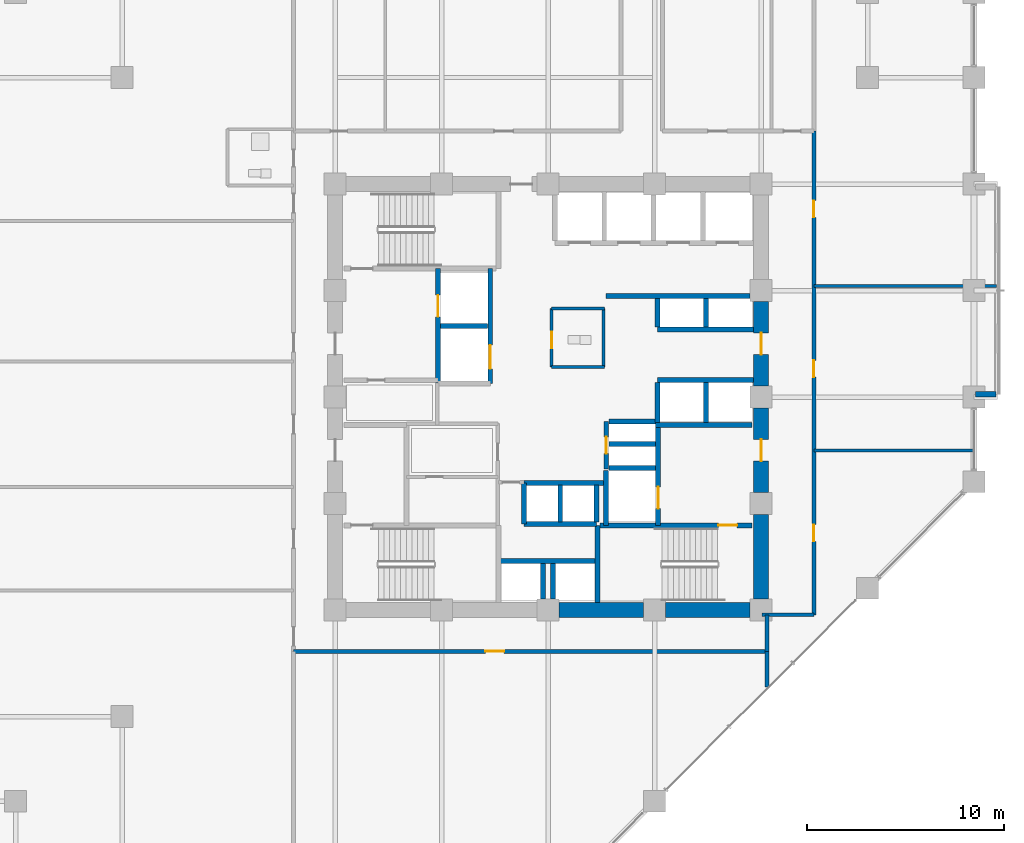
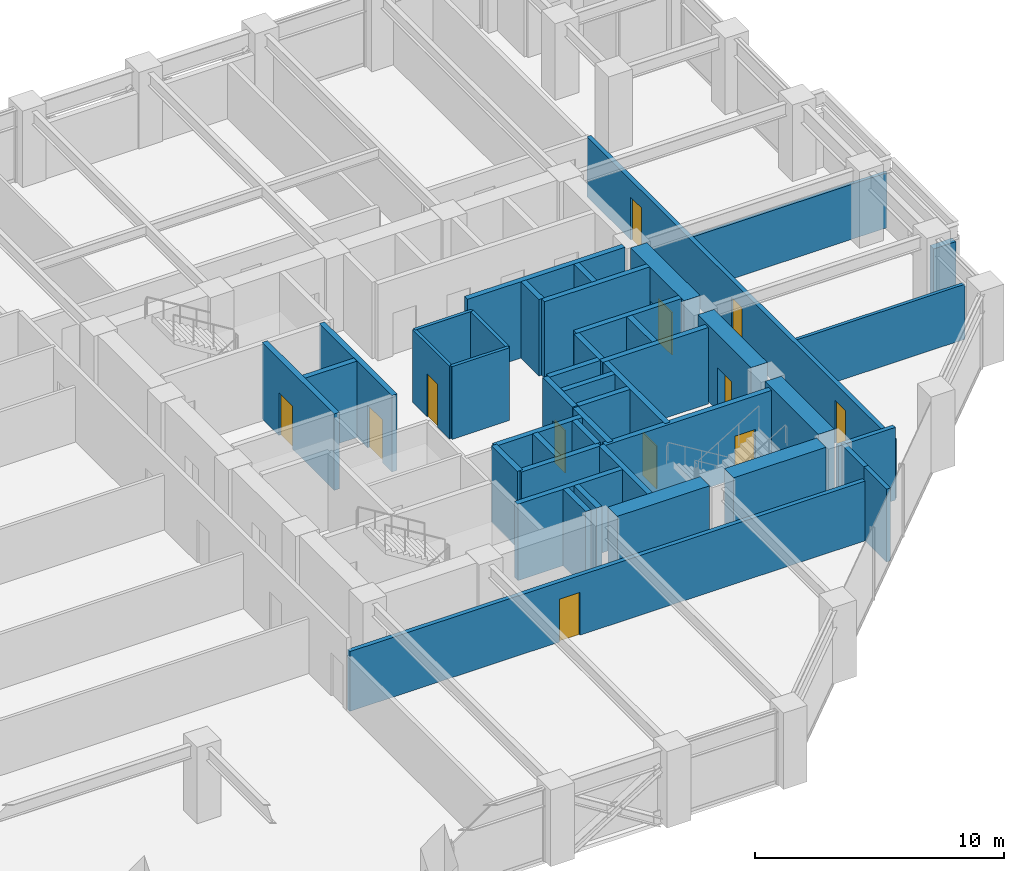
# One storey, part 20 of 25: 44 walls, 12 doors, 12 openings.
"""IFC4 building model written with IfcOpenShell, lengths in metres."""

from ifc_helpers import new_model, si_unit, direction, frame, frame_2d, origin, place, context, subcontext, project, spatial, rectangle, extrude, material, layer, layer_set, type_object, element, fill, save


model = new_model("IFC4")

# Units and contexts
model_context = context("Model", 3, precision=1e-05, world=origin(), true_north=direction((0.0, 1.0)))
body_context = subcontext(model_context, "Body", "Model", "MODEL_VIEW")
ifc_project = project(units=[si_unit("LENGTHUNIT", "METRE"), si_unit("AREAUNIT", "SQUARE_METRE"), si_unit("VOLUMEUNIT", "CUBIC_METRE"), si_unit("PLANEANGLEUNIT", "RADIAN"), si_unit("MASSUNIT", "GRAM", prefix="KILO")], contexts=[model_context])

# Site, building, storey
site_placement = place(None, origin())
site = spatial("IfcSite", under=ifc_project, at=site_placement, CompositionType="ELEMENT")
building_placement = place(site_placement, origin())
building = spatial("IfcBuilding", under=site, at=building_placement, Name="Surkhivell Harbour Commons", CompositionType="ELEMENT")
storey_placement = place(building_placement, frame((0.0, 0.0, 98.25)))
storey = spatial("IfcBuildingStorey", under=building, at=storey_placement, Name="L25", CompositionType="ELEMENT", Elevation=98.25)

# Wall
ifc_material_1 = material(Name="Concrete C60/75", Category="concrete")
ifc_layer_1 = layer(ifc_material_1, 0.75)
ifc_layer_set_1 = layer_set([ifc_layer_1], Name="Concrete C60/75")
wall_type_1 = type_object("IfcWallType", Name="WAL-CORE-750", PredefinedType="SHEAR", material=ifc_layer_set_1)
wall_1_placement = place(storey_placement, frame((10.800048828125, -10.239990234375, 0.0), z_axis=(0.0, 0.0, 1.0), x_axis=(0.0, 1.0, 0.0)))
element("IfcWall", 1, at=wall_1_placement, inside=storey, type_object=wall_type_1, Name="L25 Core Shear Wall East 1", PredefinedType="SHEAR", context=body_context, shape_type="SweptSolid", body=[
    extrude(rectangle(XDim=4.280029296875, YDim=0.75, at=frame_2d((2.14013671875, 0.0))), origin(), (0.0, 0.0, 1.0), 3.75),
])

# Wall, opening, door
wall_2_placement = place(storey_placement, frame((10.800048828125, -4.840087890625, 0.0), z_axis=(0.0, 0.0, 1.0), x_axis=(0.0, 1.0, 0.0)))
wall_2 = element("IfcWall", 2, at=wall_2_placement, inside=storey, type_object=wall_type_1, Name="L25 Core Shear Wall East 2", PredefinedType="SHEAR", context=body_context, shape_type="SweptSolid", body=[
    extrude(rectangle(XDim=4.280029296875, YDim=0.75, at=frame_2d((2.14013671875, 0.0))), origin(), (0.0, 0.0, 1.0), 3.75),
])
opening_1_placement = place(wall_2_placement, frame((1.590087890625, 0.0, 0.0)))
opening_1 = element("IfcOpeningElement", 3, at=opening_1_placement, cuts=wall_2, Name="Opening ID-1", PredefinedType="OPENING", context=body_context, shape_type="SweptSolid", body=[
    extrude(rectangle(XDim=1.10009765625, YDim=2.10009765625, at=frame_2d((0.550048828125, 1.050048828125))), frame((0.0, 0.385009765625, 0.0), z_axis=(0.0, -1.0, 0.0), x_axis=(1.0, 0.0, 0.0)), (0.0, 0.0, 1.0), 0.77001953125),
])
ifc_material_2 = material(Name="Hardwood-veneered fire-rated door leaf", Category="wood")
door_type_1 = type_object("IfcDoorType", Name="DOR-FD120-1100", OperationType="NOTDEFINED", PredefinedType="DOOR", material=ifc_material_2)
door_1_placement = place(opening_1_placement, origin())
door_1 = element("IfcDoor", 4, at=door_1_placement, inside=storey, type_object=door_type_1, Name="L25 Firefighting Lobby 2 Corridor Door", OperationType="SINGLE_SWING_RIGHT", OverallHeight=2.10009765625, OverallWidth=1.10009765625, PredefinedType="DOOR", context=body_context, shape_type="SweptSolid", body=[
    extrude(rectangle(XDim=1.10009765625, YDim=2.10009765625, at=frame_2d((0.550048828125, 1.050048828125))), frame((0.0, 0.02490234375, 0.0), z_axis=(0.0, -1.0, 0.0), x_axis=(1.0, 0.0, 0.0)), (0.0, 0.0, 1.0), 0.050048828125),
])
fill(opening_1, door_1)

# Wall
wall_3_placement = place(storey_placement, frame((0.56005859375, -10.800048828125, 0.0), z_axis=(0.0, 0.0, 1.0), x_axis=(1.0, 0.0, 0.0)))
element("IfcWall", 5, at=wall_3_placement, inside=storey, type_object=wall_type_1, Name="L25 Core Shear Wall South 3", PredefinedType="SHEAR", context=body_context, shape_type="SweptSolid", body=[
    extrude(rectangle(XDim=4.280029296875, YDim=0.75, at=frame_2d((2.14013671875, 0.0))), origin(), (0.0, 0.0, 1.0), 3.75),
])

# Wall, opening, door
wall_4_placement = place(storey_placement, frame((10.800048828125, 0.56005859375, 0.0), z_axis=(0.0, 0.0, 1.0), x_axis=(0.0, 1.0, 0.0)))
wall_4 = element("IfcWall", 6, at=wall_4_placement, inside=storey, type_object=wall_type_1, Name="L25 Core Shear Wall East 3", PredefinedType="SHEAR", context=body_context, shape_type="SweptSolid", body=[
    extrude(rectangle(XDim=4.280029296875, YDim=0.75, at=frame_2d((2.14013671875, 0.0))), origin(), (0.0, 0.0, 1.0), 3.75),
])
opening_2_placement = place(wall_4_placement, frame((1.590087890625, 0.0, 0.0)))
opening_2 = element("IfcOpeningElement", 7, at=opening_2_placement, cuts=wall_4, Name="Opening ID-2", PredefinedType="OPENING", context=body_context, shape_type="SweptSolid", body=[
    extrude(rectangle(XDim=1.10009765625, YDim=2.10009765625, at=frame_2d((0.550048828125, 1.050048828125))), frame((0.0, 0.385009765625, 0.0), z_axis=(0.0, -1.0, 0.0), x_axis=(1.0, 0.0, 0.0)), (0.0, 0.0, 1.0), 0.77001953125),
])
door_type_2 = type_object("IfcDoorType", Name="DOR-FD60-1100", OperationType="NOTDEFINED", PredefinedType="DOOR", material=ifc_material_2)
door_2_placement = place(opening_2_placement, origin())
door_2 = element("IfcDoor", 8, at=door_2_placement, inside=storey, type_object=door_type_2, Name="L25 Mid-Rise Lobby East Door", OperationType="SINGLE_SWING_LEFT", OverallHeight=2.10009765625, OverallWidth=1.10009765625, PredefinedType="DOOR", context=body_context, shape_type="SweptSolid", body=[
    extrude(rectangle(XDim=1.10009765625, YDim=2.10009765625, at=frame_2d((0.550048828125, 1.050048828125))), frame((0.0, 0.02490234375, 0.0), z_axis=(0.0, -1.0, 0.0), x_axis=(1.0, 0.0, 0.0)), (0.0, 0.0, 1.0), 0.050048828125),
])
fill(opening_2, door_2)

# Walls
wall_5_placement = place(storey_placement, frame((5.9599609375, -10.800048828125, 0.0), z_axis=(0.0, 0.0, 1.0), x_axis=(1.0, 0.0, 0.0)))
element("IfcWall", 9, at=wall_5_placement, inside=storey, type_object=wall_type_1, Name="L25 Core Shear Wall South 4", PredefinedType="SHEAR", context=body_context, shape_type="SweptSolid", body=[
    extrude(rectangle(XDim=4.280029296875, YDim=0.75, at=frame_2d((2.14013671875, 0.0))), origin(), (0.0, 0.0, 1.0), 3.75),
])
ifc_material_3 = material(Name="Flemish-bond kiln brick and precast concrete C45/55", Category="masonry")
ifc_layer_2 = layer(ifc_material_3, 0.300048828125)
ifc_layer_set_2 = layer_set([ifc_layer_2], Name="Flemish-bond kiln brick and precast concrete C45/55")
wall_type_2 = type_object("IfcWallType", Name="WAL-EXT-BRK300", PredefinedType="STANDARD", material=ifc_layer_set_2)
wall_6_placement = place(storey_placement, frame((21.679931640625, 0.139892578125, 0.0), z_axis=(0.0, 0.0, 1.0), x_axis=(1.0, 0.0, 0.0)))
element("IfcWall", 10, at=wall_6_placement, inside=storey, type_object=wall_type_2, Name="L25 Coloured Box Return Wall 01S", PredefinedType="STANDARD", context=body_context, shape_type="SweptSolid", body=[
    extrude(rectangle(XDim=1.0400390625, YDim=0.300048828125, at=frame_2d((0.52001953125, 0.0))), origin(), (0.0, 0.0, 1.0), 2.698974609375),
])
ifc_material_4 = material(Name="Twin-stud acoustic fireboard partition", Category="other")
ifc_layer_3 = layer(ifc_material_4, 0.14990234375)
ifc_layer_set_3 = layer_set([ifc_layer_3], Name="Twin-stud acoustic fireboard partition")
wall_type_3 = type_object("IfcWallType", Name="WAL-INT-150", PredefinedType="PARTITIONING", material=ifc_layer_set_3)
wall_7_placement = place(storey_placement, frame((2.820068359375, 1.52001953125, 0.0), z_axis=(0.0, 0.0, 1.0), x_axis=(0.0, 1.0, 0.0)))
element("IfcWall", 11, at=wall_7_placement, inside=storey, type_object=wall_type_3, Name="L25 Core Accessible WC East Wall", PredefinedType="PARTITIONING", context=body_context, shape_type="SweptSolid", body=[
    extrude(rectangle(XDim=2.9599609375, YDim=0.14990234375, at=frame_2d((1.47998046875, 0.0))), origin(), (0.0, 0.0, 1.0), 3.570068359375),
])
for number, where, z_axis, x_axis, name in (
    (12, (0.179931640625, 4.47998046875, 0.0), (0.0, 0.0, 1.0), (1.0, 0.0, 0.0), "L25 Core Accessible WC North Wall"),
    (13, (0.179931640625, 1.52001953125, 0.0), (0.0, 0.0, 1.0), (1.0, 0.0, 0.0), "L25 Core Accessible WC South Wall"),
):
    element("IfcWall", number, at=place(storey_placement, frame(where, z_axis=z_axis, x_axis=x_axis)), inside=storey, type_object=wall_type_3, Name=name, PredefinedType="PARTITIONING", context=body_context, shape_type="SweptSolid", body=[
        extrude(rectangle(XDim=2.670166015625, YDim=0.14990234375, at=frame_2d((1.3349609375, 0.0))), origin(), (0.0, 0.0, 1.0), 3.570068359375),
    ])

# Wall, opening, door
wall_8_placement = place(storey_placement, frame((0.179931640625, 1.52001953125, 0.0), z_axis=(0.0, 0.0, 1.0), x_axis=(0.0, 1.0, 0.0)))
wall_8 = element("IfcWall", 14, at=wall_8_placement, inside=storey, type_object=wall_type_3, Name="L25 Core Accessible WC West Wall", PredefinedType="PARTITIONING", context=body_context, shape_type="SweptSolid", body=[
    extrude(rectangle(XDim=2.9599609375, YDim=0.14990234375, at=frame_2d((1.47998046875, 0.0))), origin(), (0.0, 0.0, 1.0), 3.570068359375),
])
opening_3_placement = place(wall_8_placement, frame((0.949951171875, 0.0, 0.0)))
opening_3 = element("IfcOpeningElement", 15, at=opening_3_placement, cuts=wall_8, Name="Opening ID-6", PredefinedType="OPENING", context=body_context, shape_type="SweptSolid", body=[
    extrude(rectangle(XDim=0.85009765625, YDim=2.10009765625, at=frame_2d((0.425048828125, 1.050048828125))), frame((0.0, 0.0849609375, 0.0), z_axis=(0.0, -1.0, 0.0), x_axis=(1.0, 0.0, 0.0)), (0.0, 0.0, 1.0), 0.169921875),
])
door_type_3 = type_object("IfcDoorType", Name="DOR-FD30-850", OperationType="NOTDEFINED", PredefinedType="DOOR", material=ifc_material_2)
door_3_placement = place(opening_3_placement, origin())
door_3 = element("IfcDoor", 16, at=door_3_placement, inside=storey, type_object=door_type_3, Name="L25 Floor Accessible WC Door", OperationType="SINGLE_SWING_RIGHT", OverallHeight=2.10009765625, OverallWidth=0.85009765625, PredefinedType="DOOR", context=body_context, shape_type="SweptSolid", body=[
    extrude(rectangle(XDim=0.85009765625, YDim=2.10009765625, at=frame_2d((0.425048828125, 1.050048828125))), frame((0.0, 0.02490234375, 0.0), z_axis=(0.0, -1.0, 0.0), x_axis=(1.0, 0.0, 0.0)), (0.0, 0.0, 1.0), 0.050048828125),
])
fill(opening_3, door_3)

# Walls
wall_9_placement = place(storey_placement, frame((13.47998046875, -2.699951171875, 0.0), z_axis=(0.0, 0.0, 1.0), x_axis=(1.0, 0.0, 0.0)))
element("IfcWall", 17, at=wall_9_placement, inside=storey, type_object=wall_type_3, Name="L25 East Partition P1", PredefinedType="PARTITIONING", context=body_context, shape_type="SweptSolid", body=[
    extrude(rectangle(XDim=8.06005859375, YDim=0.14990234375, at=frame_2d((4.030029296875, 0.0))), origin(), (0.0, 0.0, 1.0), 2.698974609375),
])
wall_10_placement = place(storey_placement, frame((13.47998046875, 5.6298828125, 0.0), z_axis=(0.0, 0.0, 1.0), x_axis=(1.0, 0.0, 0.0)))
element("IfcWall", 18, at=wall_10_placement, inside=storey, type_object=wall_type_3, Name="L25 East Partition P2", PredefinedType="PARTITIONING", context=body_context, shape_type="SweptSolid", body=[
    extrude(rectangle(XDim=9.260009765625, YDim=0.14990234375, at=frame_2d((4.6298828125, 0.0))), origin(), (0.0, 0.0, 1.0), 2.698974609375),
])
ifc_material_5 = material(Name="Autoclaved aerated concrete blockwork and fire plaster", Category="masonry")
ifc_layer_4 = layer(ifc_material_5, 0.199951171875)
ifc_layer_set_4 = layer_set([ifc_layer_4], Name="Autoclaved aerated concrete blockwork and fire plaster")
wall_type_4 = type_object("IfcWallType", Name="WAL-INT-200", PredefinedType="PARTITIONING", material=ifc_layer_set_4)
wall_11_placement = place(storey_placement, frame((11.10009765625, -14.715087890625, 0.0), z_axis=(0.0, 0.0, 1.0), x_axis=(0.0, 1.0, 0.0)))
element("IfcWall", 19, at=wall_11_placement, inside=storey, type_object=wall_type_4, Name="L25 South-East Wing Corner Divider", PredefinedType="PARTITIONING", context=body_context, shape_type="SweptSolid", body=[
    extrude(rectangle(XDim=1.815185546875, YDim=0.199951171875, at=frame_2d((0.90771484375, 0.0))), origin(), (0.0, 0.0, 1.0), 3.570068359375),
])

# Wall, openings, doors
wall_12_placement = place(storey_placement, frame((13.47998046875, -11.0400390625, 0.0), z_axis=(0.0, 0.0, 1.0), x_axis=(0.0, 1.0, 0.0)))
wall_12 = element("IfcWall", 20, at=wall_12_placement, inside=storey, type_object=wall_type_4, Name="L25 Corridor East Wall", PredefinedType="PARTITIONING", context=body_context, shape_type="SweptSolid", body=[
    extrude(rectangle(XDim=24.52001953125, YDim=0.199951171875, at=frame_2d((12.260009765625, 0.0))), origin(), (0.0, 0.0, 1.0), 2.93310546875),
])
opening_4_placement = place(wall_12_placement, frame((3.719970703125, 0.0, 0.0)))
opening_4 = element("IfcOpeningElement", 21, at=opening_4_placement, cuts=wall_12, Name="Opening ID-6", PredefinedType="OPENING", context=body_context, shape_type="SweptSolid", body=[
    extrude(rectangle(XDim=0.85009765625, YDim=2.10009765625, at=frame_2d((0.425048828125, 1.050048828125))), frame((0.0, 0.10986328125, 0.0), z_axis=(0.0, -1.0, 0.0), x_axis=(1.0, 0.0, 0.0)), (0.0, 0.0, 1.0), 0.219970703125),
])
opening_5_placement = place(wall_12_placement, frame((12.054931640625, 0.0, 0.0)))
opening_5 = element("IfcOpeningElement", 22, at=opening_5_placement, cuts=wall_12, Name="Opening ID-6", PredefinedType="OPENING", context=body_context, shape_type="SweptSolid", body=[
    extrude(rectangle(XDim=0.85009765625, YDim=2.10009765625, at=frame_2d((0.425048828125, 1.050048828125))), frame((0.0, 0.10986328125, 0.0), z_axis=(0.0, -1.0, 0.0), x_axis=(1.0, 0.0, 0.0)), (0.0, 0.0, 1.0), 0.219970703125),
])
opening_6_placement = place(wall_12_placement, frame((20.14501953125, 0.0, 0.0)))
opening_6 = element("IfcOpeningElement", 23, at=opening_6_placement, cuts=wall_12, Name="Opening ID-6", PredefinedType="OPENING", context=body_context, shape_type="SweptSolid", body=[
    extrude(rectangle(XDim=0.85009765625, YDim=2.10009765625, at=frame_2d((0.425048828125, 1.050048828125))), frame((0.0, 0.10986328125, 0.0), z_axis=(0.0, -1.0, 0.0), x_axis=(1.0, 0.0, 0.0)), (0.0, 0.0, 1.0), 0.219970703125),
])
door_4_placement = place(opening_4_placement, origin())
door_4 = element("IfcDoor", 24, at=door_4_placement, inside=storey, type_object=door_type_3, Name="L25 Academic Seminar Room 1 East Door", OperationType="SINGLE_SWING_RIGHT", OverallHeight=2.10009765625, OverallWidth=0.85009765625, PredefinedType="DOOR", context=body_context, shape_type="SweptSolid", body=[
    extrude(rectangle(XDim=0.85009765625, YDim=2.10009765625, at=frame_2d((0.425048828125, 1.050048828125))), frame((0.0, 0.02490234375, 0.0), z_axis=(0.0, -1.0, 0.0), x_axis=(1.0, 0.0, 0.0)), (0.0, 0.0, 1.0), 0.050048828125),
])
fill(opening_4, door_4)
door_5_placement = place(opening_5_placement, origin())
door_5 = element("IfcDoor", 25, at=door_5_placement, inside=storey, type_object=door_type_3, Name="L25 Academic Seminar Room 2 East Door", OperationType="SINGLE_SWING_LEFT", OverallHeight=2.10009765625, OverallWidth=0.85009765625, PredefinedType="DOOR", context=body_context, shape_type="SweptSolid", body=[
    extrude(rectangle(XDim=0.85009765625, YDim=2.10009765625, at=frame_2d((0.425048828125, 1.050048828125))), frame((0.0, 0.02490234375, 0.0), z_axis=(0.0, -1.0, 0.0), x_axis=(1.0, 0.0, 0.0)), (0.0, 0.0, 1.0), 0.050048828125),
])
fill(opening_5, door_5)
door_6_placement = place(opening_6_placement, origin())
door_6 = element("IfcDoor", 26, at=door_6_placement, inside=storey, type_object=door_type_3, Name="L25 Academic Seminar Room 3 East Door", OperationType="SINGLE_SWING_RIGHT", OverallHeight=2.10009765625, OverallWidth=0.85009765625, PredefinedType="DOOR", context=body_context, shape_type="SweptSolid", body=[
    extrude(rectangle(XDim=0.85009765625, YDim=2.10009765625, at=frame_2d((0.425048828125, 1.050048828125))), frame((0.0, 0.02490234375, 0.0), z_axis=(0.0, -1.0, 0.0), x_axis=(1.0, 0.0, 0.0)), (0.0, 0.0, 1.0), 0.050048828125),
])
fill(opening_6, door_6)

# Wall
wall_13_placement = place(storey_placement, frame((10.85009765625, -11.0400390625, 0.0), z_axis=(0.0, 0.0, 1.0), x_axis=(1.0, 0.0, 0.0)))
element("IfcWall", 27, at=wall_13_placement, inside=storey, type_object=wall_type_4, Name="L25 Corridor East South Closure Wall", PredefinedType="PARTITIONING", context=body_context, shape_type="SweptSolid", body=[
    extrude(rectangle(XDim=2.6298828125, YDim=0.199951171875, at=frame_2d((1.31494140625, 0.0))), origin(), (0.0, 0.0, 1.0), 3.570068359375),
])

# Wall, opening, door
wall_14_placement = place(storey_placement, frame((-12.89990234375, -12.89990234375, 0.0), z_axis=(0.0, 0.0, 1.0), x_axis=(1.0, 0.0, 0.0)))
wall_14 = element("IfcWall", 28, at=wall_14_placement, inside=storey, type_object=wall_type_4, Name="L25 Corridor South Wall", PredefinedType="PARTITIONING", context=body_context, shape_type="SweptSolid", body=[
    extrude(rectangle(XDim=24.0, YDim=0.199951171875, at=frame_2d((12.0, 0.0))), origin(), (0.0, 0.0, 1.0), 2.93310546875),
])
opening_7_placement = place(wall_14_placement, frame((9.7177734375, 0.0, 0.0)))
opening_7 = element("IfcOpeningElement", 29, at=opening_7_placement, cuts=wall_14, Name="Opening ID-4", PredefinedType="OPENING", context=body_context, shape_type="SweptSolid", body=[
    extrude(rectangle(XDim=0.949951171875, YDim=2.10009765625, at=frame_2d((0.47509765625, 1.050048828125))), frame((0.0, 0.10986328125, 0.0), z_axis=(0.0, -1.0, 0.0), x_axis=(1.0, 0.0, 0.0)), (0.0, 0.0, 1.0), 0.219970703125),
])
door_type_4 = type_object("IfcDoorType", Name="DOR-FD60-950", OperationType="NOTDEFINED", PredefinedType="DOOR", material=ifc_material_2)
door_7_placement = place(opening_7_placement, origin())
door_7 = element("IfcDoor", 30, at=door_7_placement, inside=storey, type_object=door_type_4, Name="L25 Open Academic Study Commons Reading Library South Door", OperationType="SINGLE_SWING_LEFT", OverallHeight=2.10009765625, OverallWidth=0.949951171875, PredefinedType="DOOR", context=body_context, shape_type="SweptSolid", body=[
    extrude(rectangle(XDim=0.949951171875, YDim=2.10009765625, at=frame_2d((0.47509765625, 1.050048828125))), frame((0.0, 0.02490234375, 0.0), z_axis=(0.0, -1.0, 0.0), x_axis=(1.0, 0.0, 0.0)), (0.0, 0.0, 1.0), 0.050048828125),
])
fill(opening_7, door_7)

# Wall
wall_15_placement = place(storey_placement, frame((11.10009765625, -12.89990234375, 0.0), z_axis=(0.0, 0.0, 1.0), x_axis=(0.0, 1.0, 0.0)))
element("IfcWall", 31, at=wall_15_placement, inside=storey, type_object=wall_type_4, Name="L25 Corridor SE Closure Wall", PredefinedType="PARTITIONING", context=body_context, shape_type="SweptSolid", body=[
    extrude(rectangle(XDim=1.85986328125, YDim=0.199951171875, at=frame_2d((0.929931640625, 0.0))), origin(), (0.0, 0.0, 1.0), 3.570068359375),
])

# Wall, opening, door
ifc_material_6 = material(Name="Concrete C50/60", Category="concrete")
ifc_layer_5 = layer(ifc_material_6, 0.25)
ifc_layer_set_5 = layer_set([ifc_layer_5], Name="Concrete C50/60")
wall_type_5 = type_object("IfcWallType", Name="WAL-SHAFT-250", PredefinedType="SHEAR", material=ifc_layer_set_5)
wall_16_placement = place(storey_placement, frame((-5.580078125, 0.719970703125, 0.0), z_axis=(0.0, 0.0, 1.0), x_axis=(0.0, 1.0, 0.0)))
wall_16 = element("IfcWall", 32, at=wall_16_placement, inside=storey, type_object=wall_type_5, Name="L25 Firefighting Lobby 1 East Shaft Wall", PredefinedType="SHEAR", context=body_context, shape_type="SweptSolid", body=[
    extrude(rectangle(XDim=5.7900390625, YDim=0.25, at=frame_2d((2.89501953125, 0.0))), origin(), (0.0, 0.0, 1.0), 3.75),
])
opening_8_placement = place(wall_16_placement, frame((3.35009765625, 0.0, 0.0)))
opening_8 = element("IfcOpeningElement", 33, at=opening_8_placement, cuts=wall_16, Name="Opening LD-1", PredefinedType="OPENING", context=body_context, shape_type="SweptSolid", body=[
    extrude(rectangle(XDim=1.10009765625, YDim=2.10009765625, at=frame_2d((0.550048828125, 1.050048828125))), frame((0.0, 0.135009765625, 0.0), z_axis=(0.0, -1.0, 0.0), x_axis=(1.0, 0.0, 0.0)), (0.0, 0.0, 1.0), 0.27001953125),
])
ifc_material_7 = material(Name="Brushed stainless steel S355", Category="steel")
door_type_5 = type_object("IfcDoorType", Name="DOR-LD-1100", OperationType="SLIDING_TO_LEFT", PredefinedType="DOOR", material=ifc_material_7)
door_8_placement = place(opening_8_placement, origin())
door_8 = element("IfcDoor", 34, at=door_8_placement, inside=storey, type_object=door_type_5, Name="L25 Lift Landing Door LD-FFL1", OperationType="SLIDING_TO_LEFT", OverallHeight=2.10009765625, OverallWidth=1.10009765625, PredefinedType="DOOR", context=body_context, shape_type="SweptSolid", body=[
    extrude(rectangle(XDim=1.10009765625, YDim=2.10009765625, at=frame_2d((0.550048828125, 1.050048828125))), frame((0.0, 0.02490234375, 0.0), z_axis=(0.0, -1.0, 0.0), x_axis=(1.0, 0.0, 0.0)), (0.0, 0.0, 1.0), 0.050048828125),
])
fill(opening_8, door_8)

# Walls
wall_17_placement = place(storey_placement, frame((2.929931640625, -6.510009765625, 0.0), z_axis=(0.0, 0.0, 1.0), x_axis=(0.0, 1.0, 0.0)))
element("IfcWall", 35, at=wall_17_placement, inside=storey, type_object=wall_type_5, Name="L25 FFL2 West Shaft Wall", PredefinedType="SHEAR", context=body_context, shape_type="SweptSolid", body=[
    extrude(rectangle(XDim=2.7900390625, YDim=0.25, at=frame_2d((1.39501953125, 0.0))), origin(), (0.0, 0.0, 1.0), 3.75),
])
wall_18_placement = place(storey_placement, frame((5.43994140625, -1.419921875, 0.0), z_axis=(0.0, 0.0, 1.0), x_axis=(1.0, 0.0, 0.0)))
element("IfcWall", 36, at=wall_18_placement, inside=storey, type_object=wall_type_5, Name="L25 Firefighting Lobby 2 North Wall", PredefinedType="SHEAR", context=body_context, shape_type="SweptSolid", body=[
    extrude(rectangle(XDim=4.900146484375, YDim=0.25, at=frame_2d((2.4501953125, 0.0))), origin(), (0.0, 0.0, 1.0), 3.75),
])
wall_19_placement = place(storey_placement, frame((3.080078125, -3.60009765625, 0.0), z_axis=(0.0, 0.0, 1.0), x_axis=(1.0, 0.0, 0.0)))
element("IfcWall", 37, at=wall_19_placement, inside=storey, type_object=wall_type_5, Name="L25 FFL2 North Shaft Wall", PredefinedType="SHEAR", context=body_context, shape_type="SweptSolid", body=[
    extrude(rectangle(XDim=2.369873046875, YDim=0.25, at=frame_2d((1.18505859375, 0.0))), origin(), (0.0, 0.0, 1.0), 3.75),
])

# Wall, opening, door
wall_20_placement = place(storey_placement, frame((5.580078125, -6.510009765625, 0.0), z_axis=(0.0, 0.0, 1.0), x_axis=(0.0, 1.0, 0.0)))
wall_20 = element("IfcWall", 38, at=wall_20_placement, inside=storey, type_object=wall_type_5, Name="L25 Firefighting Lobby 2 West Shaft Wall", PredefinedType="SHEAR", context=body_context, shape_type="SweptSolid", body=[
    extrude(rectangle(XDim=5.090087890625, YDim=0.25, at=frame_2d((2.544921875, 0.0))), origin(), (0.0, 0.0, 1.0), 3.75),
])
opening_9_placement = place(wall_20_placement, frame((0.85009765625, 0.0, 0.0)))
opening_9 = element("IfcOpeningElement", 39, at=opening_9_placement, cuts=wall_20, Name="Opening LD-1", PredefinedType="OPENING", context=body_context, shape_type="SweptSolid", body=[
    extrude(rectangle(XDim=1.10009765625, YDim=2.10009765625, at=frame_2d((0.550048828125, 1.050048828125))), frame((0.0, 0.135009765625, 0.0), z_axis=(0.0, -1.0, 0.0), x_axis=(1.0, 0.0, 0.0)), (0.0, 0.0, 1.0), 0.27001953125),
])
door_9_placement = place(opening_9_placement, origin())
door_9 = element("IfcDoor", 40, at=door_9_placement, inside=storey, type_object=door_type_5, Name="L25 Lift Landing Door LD-FFL2", OperationType="SLIDING_TO_RIGHT", OverallHeight=2.10009765625, OverallWidth=1.10009765625, PredefinedType="DOOR", context=body_context, shape_type="SweptSolid", body=[
    extrude(rectangle(XDim=1.10009765625, YDim=2.10009765625, at=frame_2d((0.550048828125, 1.050048828125))), frame((0.0, 0.02490234375, 0.0), z_axis=(0.0, -1.0, 0.0), x_axis=(1.0, 0.0, 0.0)), (0.0, 0.0, 1.0), 0.050048828125),
])
fill(opening_9, door_9)

# Walls
for number, where, z_axis, x_axis, name in (
    (41, (0.6201171875, -6.340087890625, 0.0), (0.0, 0.0, 1.0), (0.0, 1.0, 0.0), "L25 High-Rise Side Wall N"),
    (42, (2.449951171875, -6.340087890625, 0.0), (0.0, 0.0, 1.0), (0.0, 1.0, 0.0), "L25 High-Rise Side Wall N"),
):
    element("IfcWall", number, at=place(storey_placement, frame(where, z_axis=z_axis, x_axis=x_axis)), inside=storey, type_object=wall_type_5, Name=name, PredefinedType="SHEAR", context=body_context, shape_type="SweptSolid", body=[
        extrude(rectangle(XDim=1.880126953125, YDim=0.25, at=frame_2d((0.93994140625, 0.0))), origin(), (0.0, 0.0, 1.0), 3.75),
    ])
for number, where, z_axis, x_axis, name in (
    (43, (-0.25, -10.25, 0.0), (0.0, 0.0, 1.0), (0.0, 1.0, 0.0), "L25 High-Rise Side Wall S"),
    (44, (0.25, -10.25, 0.0), (0.0, 0.0, 1.0), (0.0, 1.0, 0.0), "L25 High-Rise Side Wall S"),
):
    element("IfcWall", number, at=place(storey_placement, frame(where, z_axis=z_axis, x_axis=x_axis)), inside=storey, type_object=wall_type_5, Name=name, PredefinedType="SHEAR", context=body_context, shape_type="SweptSolid", body=[
        extrude(rectangle(XDim=1.81005859375, YDim=0.25, at=frame_2d((0.905029296875, 0.0))), origin(), (0.0, 0.0, 1.0), 3.75),
    ])
wall_21_placement = place(storey_placement, frame((-1.219970703125, -6.43994140625, 0.0), z_axis=(0.0, 0.0, 1.0), x_axis=(0.0, 1.0, 0.0)))
element("IfcWall", 45, at=wall_21_placement, inside=storey, type_object=wall_type_5, Name="L25 High-Rise Passage East Shaft Wall", PredefinedType="SHEAR", context=body_context, shape_type="SweptSolid", body=[
    extrude(rectangle(XDim=2.079833984375, YDim=0.25, at=frame_2d((1.0400390625, 0.0))), origin(), (0.0, 0.0, 1.0), 3.75),
])
wall_22_placement = place(storey_placement, frame((-1.219970703125, -6.43994140625, 0.0), z_axis=(0.0, 0.0, 1.0), x_axis=(1.0, 0.0, 0.0)))
element("IfcWall", 46, at=wall_22_placement, inside=storey, type_object=wall_type_5, Name="L25 High-Rise North Front Shaft Wall", PredefinedType="SHEAR", context=body_context, shape_type="SweptSolid", body=[
    extrude(rectangle(XDim=3.669921875, YDim=0.25, at=frame_2d((1.8349609375, 0.0))), origin(), (0.0, 0.0, 1.0), 3.75),
])
wall_23_placement = place(storey_placement, frame((-2.47998046875, -8.320068359375, 0.0), z_axis=(0.0, 0.0, 1.0), x_axis=(1.0, 0.0, 0.0)))
element("IfcWall", 47, at=wall_23_placement, inside=storey, type_object=wall_type_5, Name="L25 High-Rise South Front Shaft Wall", PredefinedType="SHEAR", context=body_context, shape_type="SweptSolid", body=[
    extrude(rectangle(XDim=4.929931640625, YDim=0.25, at=frame_2d((2.46484375, 0.0))), origin(), (0.0, 0.0, 1.0), 3.75),
])
wall_24_placement = place(storey_placement, frame((-1.219970703125, -4.360107421875, 0.0), z_axis=(0.0, 0.0, 1.0), x_axis=(1.0, 0.0, 0.0)))
element("IfcWall", 48, at=wall_24_placement, inside=storey, type_object=wall_type_5, Name="L25 High-Rise North Back Shaft Wall", PredefinedType="SHEAR", context=body_context, shape_type="SweptSolid", body=[
    extrude(rectangle(XDim=4.030029296875, YDim=0.25, at=frame_2d((2.01513671875, 0.0))), origin(), (0.0, 0.0, 1.0), 3.75),
])
wall_25_placement = place(storey_placement, frame((2.949951171875, 5.1201171875, 0.0), z_axis=(0.0, 0.0, 1.0), x_axis=(1.0, 0.0, 0.0)))
element("IfcWall", 49, at=wall_25_placement, inside=storey, type_object=wall_type_5, Name="L25 Low-Rise Lobby South Wall", PredefinedType="SHEAR", context=body_context, shape_type="SweptSolid", body=[
    extrude(rectangle(XDim=7.300048828125, YDim=0.25, at=frame_2d((3.64990234375, 0.0))), origin(), (0.0, 0.0, 1.0), 3.75),
])
for number, where, z_axis, x_axis, name in (
    (50, (5.550048828125, 3.550048828125, 0.0), (0.0, 0.0, 1.0), (0.0, 1.0, 0.0), "L25 Mid-Rise Shaft Side Wall N"),
    (51, (8.0, 3.550048828125, 0.0), (0.0, 0.0, 1.0), (0.0, 1.0, 0.0), "L25 Mid-Rise Shaft Side Wall N"),
):
    element("IfcWall", number, at=place(storey_placement, frame(where, z_axis=z_axis, x_axis=x_axis)), inside=storey, type_object=wall_type_5, Name=name, PredefinedType="SHEAR", context=body_context, shape_type="SweptSolid", body=[
        extrude(rectangle(XDim=1.449951171875, YDim=0.25, at=frame_2d((0.72509765625, 0.0))), origin(), (0.0, 0.0, 1.0), 3.75),
    ])
for number, where, z_axis, x_axis, name in (
    (52, (5.550048828125, -1.300048828125, 0.0), (0.0, 0.0, 1.0), (0.0, 1.0, 0.0), "L25 Mid-Rise Shaft Side Wall S"),
    (53, (8.0, -1.300048828125, 0.0), (0.0, 0.0, 1.0), (0.0, 1.0, 0.0), "L25 Mid-Rise Shaft Side Wall S"),
):
    element("IfcWall", number, at=place(storey_placement, frame(where, z_axis=z_axis, x_axis=x_axis)), inside=storey, type_object=wall_type_5, Name=name, PredefinedType="SHEAR", context=body_context, shape_type="SweptSolid", body=[
        extrude(rectangle(XDim=2.0400390625, YDim=0.25, at=frame_2d((1.02001953125, 0.0))), origin(), (0.0, 0.0, 1.0), 3.75),
    ])
for number, where, z_axis, x_axis, name in (
    (54, (5.550048828125, 3.429931640625, 0.0), (0.0, 0.0, 1.0), (1.0, 0.0, 0.0), "L25 Mid-Rise North Front Shaft Wall"),
    (55, (5.550048828125, 0.8701171875, 0.0), (0.0, 0.0, 1.0), (1.0, 0.0, 0.0), "L25 Mid-Rise South Front Shaft Wall"),
):
    element("IfcWall", number, at=place(storey_placement, frame(where, z_axis=z_axis, x_axis=x_axis)), inside=storey, type_object=wall_type_5, Name=name, PredefinedType="SHEAR", context=body_context, shape_type="SweptSolid", body=[
        extrude(rectangle(XDim=4.875, YDim=0.25, at=frame_2d((2.4375, 0.0))), origin(), (0.0, 0.0, 1.0), 3.75),
    ])
for number, where, z_axis, x_axis, name in (
    (56, (3.080078125, -2.3798828125, 0.0), (0.0, 0.0, 1.0), (1.0, 0.0, 0.0), "L25 Riser Divider Wall"),
    (57, (3.080078125, -1.25, 0.0), (0.0, 0.0, 1.0), (1.0, 0.0, 0.0), "L25 Riser North Wall"),
):
    element("IfcWall", number, at=place(storey_placement, frame(where, z_axis=z_axis, x_axis=x_axis)), inside=storey, type_object=wall_type_5, Name=name, PredefinedType="SHEAR", context=body_context, shape_type="SweptSolid", body=[
        extrude(rectangle(XDim=2.369873046875, YDim=0.25, at=frame_2d((1.18505859375, 0.0))), origin(), (0.0, 0.0, 1.0), 3.75),
    ])

# Wall, opening, door
wall_26_placement = place(storey_placement, frame((2.949951171875, -3.64990234375, 0.0), z_axis=(0.0, 0.0, 1.0), x_axis=(0.0, 1.0, 0.0)))
wall_26 = element("IfcWall", 58, at=wall_26_placement, inside=storey, type_object=wall_type_5, Name="L25 Riser Shaft West Wall", PredefinedType="SHEAR", context=body_context, shape_type="SweptSolid", body=[
    extrude(rectangle(XDim=2.39990234375, YDim=0.25, at=frame_2d((1.199951171875, 0.0))), origin(), (0.0, 0.0, 1.0), 3.75),
])
opening_10_placement = place(wall_26_placement, frame((0.77490234375, 0.0, 0.0)))
opening_10 = element("IfcOpeningElement", 59, at=opening_10_placement, cuts=wall_26, Name="Opening ID-6", PredefinedType="OPENING", context=body_context, shape_type="SweptSolid", body=[
    extrude(rectangle(XDim=0.85009765625, YDim=2.10009765625, at=frame_2d((0.425048828125, 1.050048828125))), frame((0.0, 0.135009765625, 0.0), z_axis=(0.0, -1.0, 0.0), x_axis=(1.0, 0.0, 0.0)), (0.0, 0.0, 1.0), 0.27001953125),
])
door_10_placement = place(opening_10_placement, origin())
door_10 = element("IfcDoor", 60, at=door_10_placement, inside=storey, type_object=door_type_3, Name="L25 Electrical Riser Access Door", OperationType="SINGLE_SWING_LEFT", OverallHeight=2.10009765625, OverallWidth=0.85009765625, PredefinedType="DOOR", context=body_context, shape_type="SweptSolid", body=[
    extrude(rectangle(XDim=0.85009765625, YDim=2.10009765625, at=frame_2d((0.425048828125, 1.050048828125))), frame((0.0, 0.02490234375, 0.0), z_axis=(0.0, -1.0, 0.0), x_axis=(1.0, 0.0, 0.0)), (0.0, 0.0, 1.0), 0.050048828125),
])
fill(opening_10, door_10)

wall_27_placement = place(storey_placement, frame((2.639892578125, -6.510009765625, 0.0), z_axis=(0.0, 0.0, 1.0), x_axis=(1.0, 0.0, 0.0)))
wall_27 = element("IfcWall", 61, at=wall_27_placement, inside=storey, type_object=wall_type_5, Name="L25 Stair ST2 North Shear Wall", PredefinedType="SHEAR", context=body_context, shape_type="SweptSolid", body=[
    extrude(rectangle(XDim=7.7001953125, YDim=0.25, at=frame_2d((3.85009765625, 0.0))), origin(), (0.0, 0.0, 1.0), 3.75),
])
opening_11_placement = place(wall_27_placement, frame((6.0, 0.0, 0.0)))
opening_11 = element("IfcOpeningElement", 62, at=opening_11_placement, cuts=wall_27, Name="Opening ID-4", PredefinedType="OPENING", context=body_context, shape_type="SweptSolid", body=[
    extrude(rectangle(XDim=0.949951171875, YDim=2.10009765625, at=frame_2d((0.47509765625, 1.050048828125))), frame((0.0, 0.135009765625, 0.0), z_axis=(0.0, -1.0, 0.0), x_axis=(1.0, 0.0, 0.0)), (0.0, 0.0, 1.0), 0.27001953125),
])
door_11_placement = place(opening_11_placement, origin())
door_11 = element("IfcDoor", 63, at=door_11_placement, inside=storey, type_object=door_type_4, Name="L25 Stair ST2 Exit Door", OperationType="SINGLE_SWING_RIGHT", OverallHeight=2.10009765625, OverallWidth=0.949951171875, PredefinedType="DOOR", context=body_context, shape_type="SweptSolid", body=[
    extrude(rectangle(XDim=0.949951171875, YDim=2.10009765625, at=frame_2d((0.47509765625, 1.050048828125))), frame((0.0, 0.02490234375, 0.0), z_axis=(0.0, -1.0, 0.0), x_axis=(1.0, 0.0, 0.0)), (0.0, 0.0, 1.0), 0.050048828125),
])
fill(opening_11, door_11)

# Wall
wall_28_placement = place(storey_placement, frame((2.510009765625, -10.425048828125, 0.0), z_axis=(0.0, 0.0, 1.0), x_axis=(0.0, 1.0, 0.0)))
element("IfcWall", 64, at=wall_28_placement, inside=storey, type_object=wall_type_5, Name="L25 Stair ST2 West Shear Wall", PredefinedType="SHEAR", context=body_context, shape_type="SweptSolid", body=[
    extrude(rectangle(XDim=3.9150390625, YDim=0.25, at=frame_2d((1.95751953125, 0.0))), origin(), (0.0, 0.0, 1.0), 3.75),
])

# Wall, opening, door
wall_29_placement = place(storey_placement, frame((-2.929931640625, 0.679931640625, 0.0), z_axis=(0.0, 0.0, 1.0), x_axis=(0.0, 1.0, 0.0)))
wall_29 = element("IfcWall", 65, at=wall_29_placement, inside=storey, type_object=wall_type_5, Name="L25 Service and Fire Lift East Shaft Wall", PredefinedType="SHEAR", context=body_context, shape_type="SweptSolid", body=[
    extrude(rectangle(XDim=5.830078125, YDim=0.25, at=frame_2d((2.9150390625, 0.0))), origin(), (0.0, 0.0, 1.0), 3.75),
])
opening_12_placement = place(wall_29_placement, frame((0.75, 0.0, 0.0)))
opening_12 = element("IfcOpeningElement", 66, at=opening_12_placement, cuts=wall_29, Name="Opening LD-2", PredefinedType="OPENING", context=body_context, shape_type="SweptSolid", body=[
    extrude(rectangle(XDim=1.199951171875, YDim=2.10009765625, at=frame_2d((0.60009765625, 1.050048828125))), frame((0.0, 0.135009765625, 0.0), z_axis=(0.0, -1.0, 0.0), x_axis=(1.0, 0.0, 0.0)), (0.0, 0.0, 1.0), 0.27001953125),
])
door_type_6 = type_object("IfcDoorType", Name="DOR-LD-1200", OperationType="SLIDING_TO_LEFT", PredefinedType="DOOR", material=ifc_material_7)
door_12_placement = place(opening_12_placement, origin())
door_12 = element("IfcDoor", 67, at=door_12_placement, inside=storey, type_object=door_type_6, Name="L25 Lift Landing Door LD-SVL1", OperationType="SLIDING_TO_LEFT", OverallHeight=2.10009765625, OverallWidth=1.199951171875, PredefinedType="DOOR", context=body_context, shape_type="SweptSolid", body=[
    extrude(rectangle(XDim=1.199951171875, YDim=2.10009765625, at=frame_2d((0.60009765625, 1.050048828125))), frame((0.0, 0.02490234375, 0.0), z_axis=(0.0, -1.0, 0.0), x_axis=(1.0, 0.0, 0.0)), (0.0, 0.0, 1.0), 0.050048828125),
])
fill(opening_12, door_12)

# Wall
wall_30_placement = place(storey_placement, frame((-5.449951171875, 3.60009765625, 0.0), z_axis=(0.0, 0.0, 1.0), x_axis=(1.0, 0.0, 0.0)))
element("IfcWall", 68, at=wall_30_placement, inside=storey, type_object=wall_type_5, Name="L25 FFL1/SVL1 Shaft Divider", PredefinedType="SHEAR", context=body_context, shape_type="SweptSolid", body=[
    extrude(rectangle(XDim=2.389892578125, YDim=0.25, at=frame_2d((1.19482421875, 0.0))), origin(), (0.0, 0.0, 1.0), 3.75),
])

save(model, "model.ifc")
